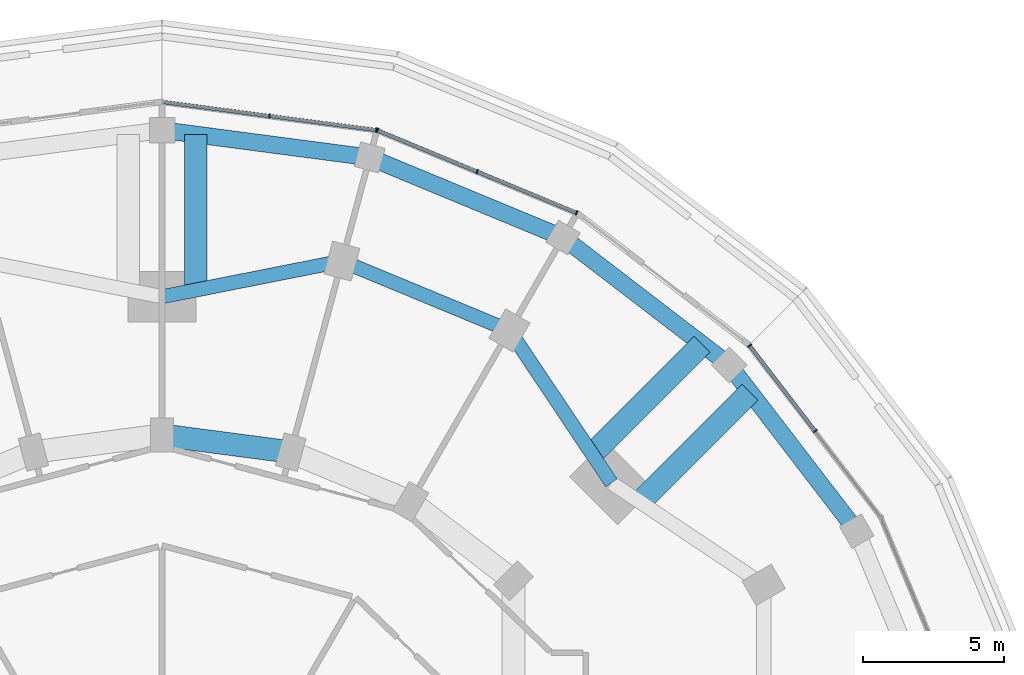
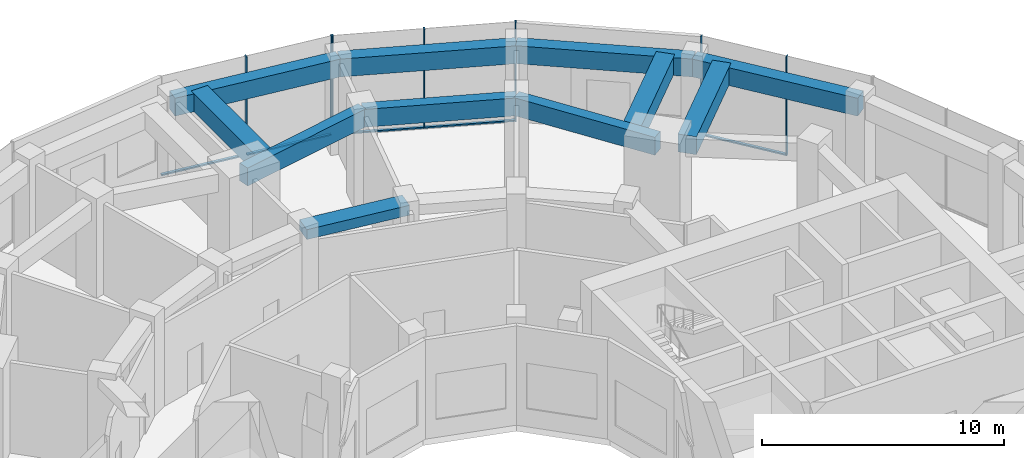
# One storey, part 9 of 19: 12 members, 11 beams, 3 elements without a shape of their own.
"""IFC4 building model written with IfcOpenShell, lengths in metres."""

from ifc_helpers import new_model, si_unit, direction, frame, origin, origin_2d, place, context, subcontext, project, spatial, rectangle, extrude, material, layer, layer_set, material_profile, profile_set, type_object, element, aggregate, save


model = new_model("IFC4")

# Units and contexts
model_context = context("Model", 3, precision=1e-05, world=origin(), true_north=direction((0.0, 1.0)))
body_context = subcontext(model_context, "Body", "Model", "MODEL_VIEW")
ifc_project = project(units=[si_unit("LENGTHUNIT", "METRE"), si_unit("AREAUNIT", "SQUARE_METRE"), si_unit("VOLUMEUNIT", "CUBIC_METRE"), si_unit("PLANEANGLEUNIT", "RADIAN"), si_unit("MASSUNIT", "GRAM", prefix="KILO")], contexts=[model_context])

# Site, building, storey
site_placement = place(None, origin())
site = spatial("IfcSite", under=ifc_project, at=site_placement, CompositionType="ELEMENT")
building_placement = place(site_placement, origin())
building = spatial("IfcBuilding", under=site, at=building_placement, Name="Torre Brocal", CompositionType="ELEMENT")
storey_placement = place(building_placement, frame((0.0, 0.0, 23.800048828125)))
storey = spatial("IfcBuildingStorey", under=building, at=storey_placement, Name="L04", CompositionType="ELEMENT", Elevation=23.800048828125)

# Curtain wall, members
ifc_material_1 = material(Name="Aluminium and glass", Category="aluminium")
ifc_layer = layer(ifc_material_1, 0.199951171875)
ifc_layer_set = layer_set([ifc_layer], Name="Aluminium and glass")
curtain_wall_type = type_object("IfcCurtainWallType", Name="CW-6 CURTAIN WALL 5000 HIGH", PredefinedType="NOTDEFINED", material=ifc_layer_set)
curtain_wall_1_placement = place(storey_placement, origin())
curtain_wall_1 = element("IfcCurtainWall", 1, at=curtain_wall_1_placement, inside=storey, type_object=curtain_wall_type, Name="CW-6 RUN 3", PredefinedType="NOTDEFINED")
ifc_material_2 = material(Name="Aluminium, dark anodised", Category="aluminium")
ifc_material_profile_1 = material_profile(ifc_material_2, rectangle(XDim=0.159912109375, YDim=0.050048828125, at=origin_2d()), Name="CW-6 MULLION 50X160")
ifc_profile_set_1 = profile_set([ifc_material_profile_1], Name="Aluminium, dark anodised")
member_type_1 = type_object("IfcMemberType", Name="CW-6 MULLION 50X160", PredefinedType="MULLION", material=ifc_profile_set_1)
member_1_placement = place(storey_placement, frame((103.124267578125, 92.743896484375, 0.0), z_axis=(0.0, 0.0, 1.0), x_axis=(-0.793353340291, -0.608761429009, 0.0)))
member_1 = element("IfcMember", 2, at=member_1_placement, type_object=member_type_1, Name="CW6-3 mullion 2", PredefinedType="MULLION", context=body_context, shape_type="SweptSolid", body=[
    extrude(rectangle(XDim=0.159912109375, YDim=0.050048828125, at=origin_2d()), origin(), (0.0, 0.0, 1.0), 5.0),
])
member_2_placement = place(storey_placement, frame((100.803466796875, 95.7685546875, 0.0), z_axis=(0.0, 0.0, 1.0), x_axis=(-0.793353340291, -0.608761429009, 0.0)))
member_2 = element("IfcMember", 3, at=member_2_placement, type_object=member_type_1, Name="CW6-3 mullion 3", PredefinedType="MULLION", context=body_context, shape_type="SweptSolid", body=[
    extrude(rectangle(XDim=0.159912109375, YDim=0.050048828125, at=origin_2d()), origin(), (0.0, 0.0, 1.0), 5.0),
])

curtain_wall_2_placement = place(storey_placement, origin())
curtain_wall_2 = element("IfcCurtainWall", 4, at=curtain_wall_2_placement, inside=storey, type_object=curtain_wall_type, Name="CW-6 RUN 5", PredefinedType="NOTDEFINED")
member_3_placement = place(storey_placement, frame((94.676513671875, 100.469970703125, 0.0), z_axis=(0.0, 0.0, 1.0), x_axis=(-0.382683432365, -0.923879532511, 0.0)))
member_3 = element("IfcMember", 5, at=member_3_placement, type_object=member_type_1, Name="CW6-3 mullion 1", PredefinedType="MULLION", context=body_context, shape_type="SweptSolid", body=[
    extrude(rectangle(XDim=0.159912109375, YDim=0.050048828125, at=origin_2d()), origin(), (0.0, 0.0, 1.0), 5.0),
])
member_4_placement = place(storey_placement, frame((91.154296875, 101.928955078125, 0.0), z_axis=(0.0, 0.0, 1.0), x_axis=(-0.382683432365, -0.923879532511, 0.0)))
member_4 = element("IfcMember", 6, at=member_4_placement, type_object=member_type_1, Name="CW6-3 mullion 2", PredefinedType="MULLION", context=body_context, shape_type="SweptSolid", body=[
    extrude(rectangle(XDim=0.159912109375, YDim=0.050048828125, at=origin_2d()), origin(), (0.0, 0.0, 1.0), 5.0),
])
member_5_placement = place(storey_placement, frame((87.632080078125, 103.387939453125, 0.0), z_axis=(0.0, 0.0, 1.0), x_axis=(-0.382683432365, -0.923879532511, 0.0)))
member_5 = element("IfcMember", 7, at=member_5_placement, type_object=member_type_1, Name="CW6-3 mullion 3", PredefinedType="MULLION", context=body_context, shape_type="SweptSolid", body=[
    extrude(rectangle(XDim=0.159912109375, YDim=0.050048828125, at=origin_2d()), origin(), (0.0, 0.0, 1.0), 5.0),
])

curtain_wall_3_placement = place(storey_placement, origin())
curtain_wall_3 = element("IfcCurtainWall", 8, at=curtain_wall_3_placement, inside=storey, type_object=curtain_wall_type, Name="CW-6 RUN 6", PredefinedType="NOTDEFINED")
member_6_placement = place(storey_placement, frame((87.584228515625, 103.400634765625, 0.0), z_axis=(0.0, 0.0, 1.0), x_axis=(-0.130526192272, -0.991444861367, 0.0)))
member_6 = element("IfcMember", 9, at=member_6_placement, type_object=member_type_1, Name="CW6-3 mullion 1", PredefinedType="MULLION", context=body_context, shape_type="SweptSolid", body=[
    extrude(rectangle(XDim=0.159912109375, YDim=0.050048828125, at=origin_2d()), origin(), (0.0, 0.0, 1.0), 5.0),
])
member_7_placement = place(storey_placement, frame((83.804443359375, 103.898193359375, 0.0), z_axis=(0.0, 0.0, 1.0), x_axis=(-0.130526192272, -0.991444861367, 0.0)))
member_7 = element("IfcMember", 10, at=member_7_placement, type_object=member_type_1, Name="CW6-3 mullion 2", PredefinedType="MULLION", context=body_context, shape_type="SweptSolid", body=[
    extrude(rectangle(XDim=0.159912109375, YDim=0.050048828125, at=origin_2d()), origin(), (0.0, 0.0, 1.0), 5.0),
])

# Member
ifc_material_3 = material(Name="Aluminium, dark anodised", Category="aluminium")
ifc_material_profile_2 = material_profile(ifc_material_3, rectangle(XDim=0.1298828125, YDim=0.070068359375, at=origin_2d()), Name="CW-6 TRANSOM 130X70")
ifc_profile_set_2 = profile_set([ifc_material_profile_2], Name="Aluminium, dark anodised")
member_type_2 = type_object("IfcMemberType", Name="CW-6 TRANSOM 130X70", PredefinedType="USERDEFINED", material=ifc_profile_set_2)
member_8_placement = place(storey_placement, frame((103.109130859375, 92.763671875, 0.034912109375), z_axis=(-0.608716213405, 0.793388033397, 0.0), x_axis=(-0.793388033397, -0.608716213405, 0.0)))
member_8 = element("IfcMember", 11, at=member_8_placement, type_object=member_type_2, Name="CW6-3 transom 2.1", ObjectType="TRANSOM", PredefinedType="USERDEFINED", context=body_context, shape_type="SweptSolid", body=[
    extrude(rectangle(XDim=0.1298828125, YDim=0.070068359375, at=origin_2d()), origin(), (0.0, 0.0, 1.0), 3.762451171875),
])

aggregate(curtain_wall_1, [member_1, member_2, member_8])

member_9_placement = place(storey_placement, frame((94.6533203125, 100.4794921875, 0.034912109375), z_axis=(-0.923860224844, 0.382730041872, 0.0), x_axis=(-0.382730041872, -0.923860224844, 0.0)))
member_9 = element("IfcMember", 12, at=member_9_placement, type_object=member_type_2, Name="CW6-3 transom 1.1", ObjectType="TRANSOM", PredefinedType="USERDEFINED", context=body_context, shape_type="SweptSolid", body=[
    extrude(rectangle(XDim=0.1298828125, YDim=0.070068359375, at=origin_2d()), origin(), (0.0, 0.0, 1.0), 3.76220703125),
])

member_10_placement = place(storey_placement, frame((91.131103515625, 101.9384765625, 0.034912109375), z_axis=(-0.923883168677, 0.382674653767, 0.0), x_axis=(-0.382674653767, -0.923883168677, 0.0)))
member_10 = element("IfcMember", 13, at=member_10_placement, type_object=member_type_2, Name="CW6-3 transom 2.1", ObjectType="TRANSOM", PredefinedType="USERDEFINED", context=body_context, shape_type="SweptSolid", body=[
    extrude(rectangle(XDim=0.1298828125, YDim=0.070068359375, at=origin_2d()), origin(), (0.0, 0.0, 1.0), 3.76220703125),
])

aggregate(curtain_wall_2, [member_3, member_4, member_5, member_9, member_10])

member_11_placement = place(storey_placement, frame((87.5595703125, 103.40380859375, 0.034912109375), z_axis=(-0.991440817702, 0.13055690328, 0.0), x_axis=(-0.13055690328, -0.991440817702, 0.0)))
member_11 = element("IfcMember", 14, at=member_11_placement, type_object=member_type_2, Name="CW6-3 transom 1.1", ObjectType="TRANSOM", PredefinedType="USERDEFINED", context=body_context, shape_type="SweptSolid", body=[
    extrude(rectangle(XDim=0.1298828125, YDim=0.070068359375, at=origin_2d()), origin(), (0.0, 0.0, 1.0), 3.762451171875),
])

member_12_placement = place(storey_placement, frame((83.77978515625, 103.901611328125, 0.034912109375), z_axis=(-0.991449214933, 0.130493119395, 0.0), x_axis=(-0.130493119395, -0.991449214933, 0.0)))
member_12 = element("IfcMember", 15, at=member_12_placement, type_object=member_type_2, Name="CW6-3 transom 2.1", ObjectType="TRANSOM", PredefinedType="USERDEFINED", context=body_context, shape_type="SweptSolid", body=[
    extrude(rectangle(XDim=0.1298828125, YDim=0.070068359375, at=origin_2d()), origin(), (0.0, 0.0, 1.0), 3.762451171875),
])

aggregate(curtain_wall_3, [member_6, member_7, member_11, member_12])

# Beams
ifc_material_4 = material(Name="Concrete C50", Category="concrete")
ifc_material_profile_3 = material_profile(ifc_material_4, rectangle(XDim=0.60009765625, YDim=0.89990234375, at=origin_2d()), Name="RC 600X900")
ifc_profile_set_3 = profile_set([ifc_material_profile_3], Name="Concrete C50")
beam_type_1 = type_object("IfcBeamType", Name="RC BEAM 600X900 C50 TOP 4680", PredefinedType="BEAM", material=ifc_profile_set_3)
for number, where, z_axis, x_axis, name in (
    (16, (104.59521484375, 89.199951171875, 4.22998046875), (-0.608772998493, 0.793344462579, 0.0), (-0.793344462579, -0.608772998493, 0.0), "Beam BT-16"),
    (17, (100.081787109375, 95.081787109375, 4.22998046875), (-0.793344462579, 0.608772998493, 0.0), (-0.608772998493, -0.793344462579, 0.0), "Beam BT-16"),
    (18, (94.199951171875, 99.59521484375, 4.22998046875), (-0.923881578151, 0.382678493716, 0.0), (-0.382678493716, -0.923881578151, 0.0), "Beam BT-16"),
):
    element("IfcBeam", number, at=place(storey_placement, frame(where, z_axis=z_axis, x_axis=x_axis)), inside=storey, type_object=beam_type_1, Name=name, PredefinedType="BEAM", context=body_context, shape_type="SweptSolid", body=[
        extrude(rectangle(XDim=0.60009765625, YDim=0.89990234375, at=origin_2d()), origin(), (0.0, 0.0, 1.0), 7.4140625),
    ])
beam_1_placement = place(storey_placement, frame((87.350341796875, 102.432373046875, 4.22998046875), z_axis=(-0.991447681208, 0.130504771669, 0.0), x_axis=(-0.130504771669, -0.991447681208, 0.0)))
element("IfcBeam", 19, at=beam_1_placement, inside=storey, type_object=beam_type_1, Name="Beam BT-16", PredefinedType="BEAM", context=body_context, shape_type="SweptSolid", body=[
    extrude(rectangle(XDim=0.60009765625, YDim=0.89990234375, at=origin_2d()), origin(), (0.0, 0.0, 1.0), 7.413818359375),
])
ifc_material_5 = material(Name="Concrete C50", Category="concrete")
ifc_material_profile_4 = material_profile(ifc_material_5, rectangle(XDim=0.800048828125, YDim=0.5, at=origin_2d()), Name="RC 800X500")
ifc_profile_set_4 = profile_set([ifc_material_profile_4], Name="Concrete C50")
beam_type_2 = type_object("IfcBeamType", Name="RC BEAM 800X500 C50 TOP 4680", PredefinedType="BEAM", material=ifc_profile_set_4)
beam_2_placement = place(storey_placement, frame((84.55517578125, 92.000244140625, 4.429931640625), z_axis=(-0.991440544449, 0.130558978332, 0.0), x_axis=(-0.130558978332, -0.991440544449, 0.0)))
element("IfcBeam", 20, at=beam_2_placement, inside=storey, type_object=beam_type_2, Name="Beam BT-17", PredefinedType="BEAM", context=body_context, shape_type="SweptSolid", body=[
    extrude(rectangle(XDim=0.800048828125, YDim=0.5, at=origin_2d()), origin(), (0.0, 0.0, 1.0), 4.594482421875),
])
ifc_material_6 = material(Name="Concrete C50", Category="concrete")
ifc_material_profile_5 = material_profile(ifc_material_6, rectangle(XDim=0.800048828125, YDim=0.89990234375, at=origin_2d()), Name="RC 800X900")
ifc_profile_set_5 = profile_set([ifc_material_profile_5], Name="Concrete C50")
beam_type_3 = type_object("IfcBeamType", Name="RC BEAM 800X900 C50 TOP 4680", PredefinedType="BEAM", material=ifc_profile_set_5)
for number, where, z_axis, x_axis, name in (
    (21, (96.926513671875, 90.2294921875, 4.22998046875), (0.707106781187, 0.707106781187, 0.0), (-0.707106781187, 0.707106781187, 0.0), "Beam BT-54"),
    (22, (95.2294921875, 91.926513671875, 4.22998046875), (0.707106781187, 0.707106781187, 0.0), (-0.707106781187, 0.707106781187, 0.0), "Beam BT-54"),
    (23, (81.199951171875, 97.73779296875, 4.22998046875), (0.0, 1.0, 0.0), (-1.0, 0.0, 0.0), "Beam BT-54"),
):
    element("IfcBeam", number, at=place(storey_placement, frame(where, z_axis=z_axis, x_axis=x_axis)), inside=storey, type_object=beam_type_3, Name=name, PredefinedType="BEAM", context=body_context, shape_type="SweptSolid", body=[
        extrude(rectangle(XDim=0.800048828125, YDim=0.89990234375, at=origin_2d()), origin(), (0.0, 0.0, 1.0), 5.504150390625),
    ])
ifc_material_7 = material(Name="Concrete C50", Category="concrete")
ifc_material_profile_6 = material_profile(ifc_material_7, rectangle(XDim=0.5, YDim=0.89990234375, at=origin_2d()), Name="RC 500X900")
ifc_profile_set_6 = profile_set([ifc_material_profile_6], Name="Concrete C50")
beam_type_4 = type_object("IfcBeamType", Name="RC SPANDREL BEAM 500X900 C50 TOP 4680", PredefinedType="SPANDREL", material=ifc_profile_set_6)
beam_3_placement = place(storey_placement, frame((95.909912109375, 90.909912109375, 4.22998046875), z_axis=(-0.556157602282, 0.831076844476, 0.0), x_axis=(-0.831076844476, -0.556157602282, 0.0)))
element("IfcBeam", 24, at=beam_3_placement, inside=storey, type_object=beam_type_4, Name="Beam BT-18", PredefinedType="SPANDREL", context=body_context, shape_type="SweptSolid", body=[
    extrude(rectangle(XDim=0.5, YDim=0.89990234375, at=origin_2d()), origin(), (0.0, 0.0, 1.0), 6.49072265625),
])
beam_4_placement = place(storey_placement, frame((92.300048828125, 96.30419921875, 4.22998046875), z_axis=(-0.923882462513, 0.382676358639, 0.0), x_axis=(-0.382676358639, -0.923882462513, 0.0)))
element("IfcBeam", 25, at=beam_4_placement, inside=storey, type_object=beam_type_4, Name="Beam BT-18", PredefinedType="SPANDREL", context=body_context, shape_type="SweptSolid", body=[
    extrude(rectangle(XDim=0.5, YDim=0.89990234375, at=origin_2d()), origin(), (0.0, 0.0, 1.0), 6.421875),
])
beam_5_placement = place(storey_placement, frame((86.366943359375, 98.76171875, 4.22998046875), z_axis=(-0.980924907484, -0.194387051723, 0.0), x_axis=(0.194387051723, -0.980924907484, 0.0)))
element("IfcBeam", 26, at=beam_5_placement, inside=storey, type_object=beam_type_4, Name="Beam BT-18", PredefinedType="SPANDREL", context=body_context, shape_type="SweptSolid", body=[
    extrude(rectangle(XDim=0.5, YDim=0.89990234375, at=origin_2d()), origin(), (0.0, 0.0, 1.0), 6.49072265625),
])

save(model, "model.ifc")
